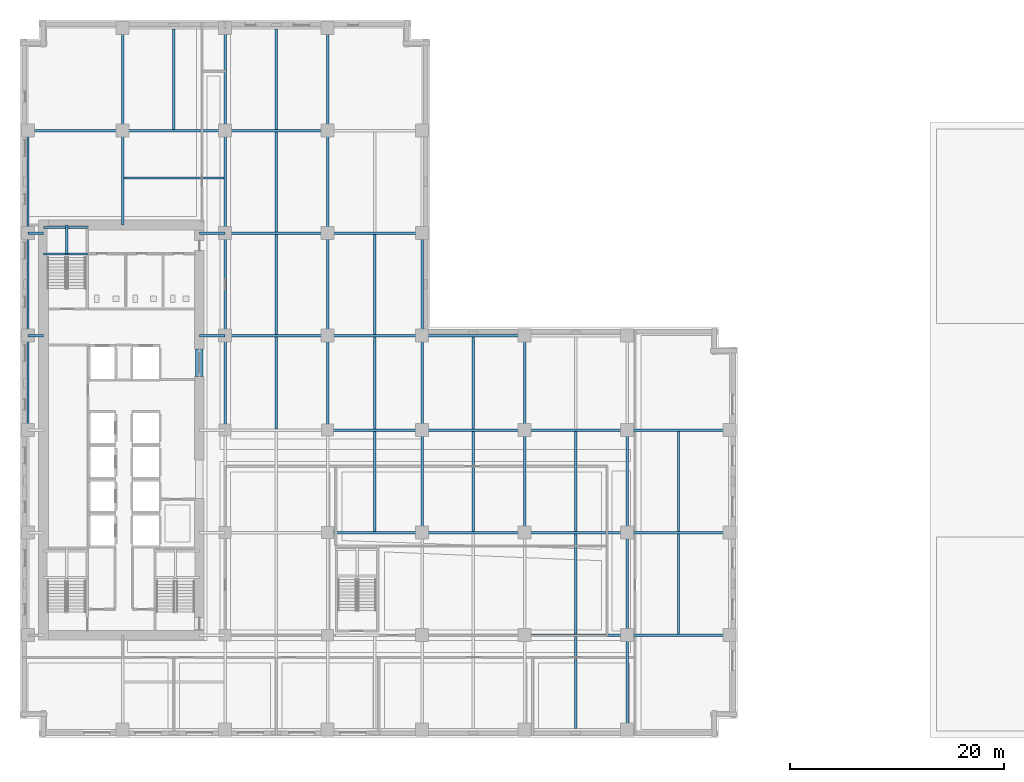
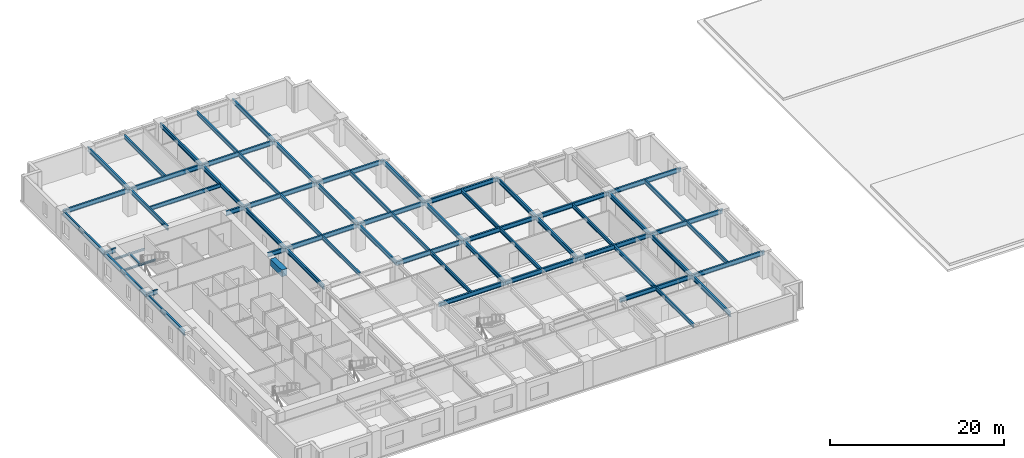
# One storey, part 2 of 14: 63 beams.
"""IFC4 building model written with IfcOpenShell, lengths in metres."""

from ifc_helpers import new_model, si_unit, direction, frame, origin, origin_2d, place, context, subcontext, project, spatial, rectangle, i_section, extrude, material, material_profile, profile_set, type_object, element, save


model = new_model("IFC4")

# Units and contexts
model_context = context("Model", 3, precision=1e-05, world=origin(), true_north=direction((0.0, 1.0)))
body_context = subcontext(model_context, "Body", "Model", "MODEL_VIEW")
ifc_project = project(units=[si_unit("LENGTHUNIT", "METRE"), si_unit("AREAUNIT", "SQUARE_METRE"), si_unit("VOLUMEUNIT", "CUBIC_METRE"), si_unit("PLANEANGLEUNIT", "RADIAN"), si_unit("MASSUNIT", "GRAM", prefix="KILO")], contexts=[model_context])

# Site, building, storey
site_placement = place(None, origin())
site = spatial("IfcSite", under=ifc_project, at=site_placement, CompositionType="ELEMENT")
building_placement = place(site_placement, origin())
building = spatial("IfcBuilding", under=site, at=building_placement, Name="Norrvale University Quadrangle", CompositionType="ELEMENT")
storey_placement = place(building_placement, frame((0.0, 0.0, 24.199951171875)))
storey = spatial("IfcBuildingStorey", under=building, at=storey_placement, Name="L05", CompositionType="ELEMENT", Elevation=24.199951171875)

# Beams
ifc_material_1 = material(Name="Concrete C80/95", Category="concrete")
ifc_material_profile_1 = material_profile(ifc_material_1, rectangle(XDim=0.699951171875, YDim=0.949951171875, at=origin_2d()), Name="Concrete C80/95")
ifc_profile_set_1 = profile_set([ifc_material_profile_1], Name="Concrete C80/95")
beam_type_1 = type_object("IfcBeamType", Name="Beam Core Link 700x950", PredefinedType="LINTEL", material=ifc_profile_set_1)
beam_1_placement = place(storey_placement, frame((16.800048828125, 33.800048828125, 3.06494140625), z_axis=(0.0, 1.0, 0.0), x_axis=(-1.0, 0.0, 0.0)))
element("IfcBeam", 1, at=beam_1_placement, inside=storey, type_object=beam_type_1, Name="Core Coupling Lintel Beam L05-2", PredefinedType="LINTEL", context=body_context, shape_type="SweptSolid", body=[
    extrude(rectangle(XDim=0.699951171875, YDim=0.949951171875, at=origin_2d()), origin(), (0.0, 0.0, 1.0), 2.599853515625),
])
ifc_material_2 = material(Name="Steel 350W", Category="steel")
ifc_material_profile_2 = material_profile(ifc_material_2, i_section(OverallWidth=0.208984375, OverallDepth=0.532958984375, WebThickness=0.01025390625, FlangeThickness=0.015625, FilletRadius=0.013916015625, at=origin_2d()), Name="Steel 350W")
ifc_profile_set_2 = profile_set([ifc_material_profile_2], Name="Steel 350W")
beam_type_2 = type_object("IfcBeamType", Name="Beam Floor W530x92", PredefinedType="JOIST", material=ifc_profile_set_2)
beam_2_placement = place(storey_placement, frame((14.39990234375, 56.965087890625, 3.2734375), z_axis=(0.0, 1.0, 0.0), x_axis=(-1.0, 0.0, 0.0)))
element("IfcBeam", 2, at=beam_2_placement, inside=storey, type_object=beam_type_2, Name="Beam Floor W530x92 BM-L05-J079", PredefinedType="JOIST", context=body_context, shape_type="SweptSolid", body=[
    extrude(i_section(OverallWidth=0.208984375, OverallDepth=0.532958984375, WebThickness=0.01025390625, FlangeThickness=0.015625, FilletRadius=0.013916015625, at=origin_2d()), origin(), (0.0, 0.0, 1.0), 9.369873046875),
])
beam_3_placement = place(storey_placement, frame((24.0, 28.9150390625, 3.2734375), z_axis=(0.0, 1.0, 0.0), x_axis=(-1.0, 0.0, 0.0)))
element("IfcBeam", 3, at=beam_3_placement, inside=storey, type_object=beam_type_2, Name="Beam Floor W530x92 BM-L05-J083", PredefinedType="JOIST", context=body_context, shape_type="SweptSolid", body=[
    extrude(i_section(OverallWidth=0.208984375, OverallDepth=0.532958984375, WebThickness=0.01025390625, FlangeThickness=0.015625, FilletRadius=0.013916015625, at=origin_2d()), origin(), (0.0, 0.0, 1.0), 8.619873046875),
])
for number, where, z_axis, x_axis, name in (
    (4, (24.0, 37.764892578125, 3.2734375), (0.0, 1.0, 0.0), (-1.0, 0.0, 0.0), "Beam Floor W530x92 BM-L05-J084"),
    (5, (24.0, 47.364990234375, 3.2734375), (0.0, 1.0, 0.0), (-1.0, 0.0, 0.0), "Beam Floor W530x92 BM-L05-J085"),
):
    element("IfcBeam", number, at=place(storey_placement, frame(where, z_axis=z_axis, x_axis=x_axis)), inside=storey, type_object=beam_type_2, Name=name, PredefinedType="JOIST", context=body_context, shape_type="SweptSolid", body=[
        extrude(i_section(OverallWidth=0.208984375, OverallDepth=0.532958984375, WebThickness=0.01025390625, FlangeThickness=0.015625, FilletRadius=0.013916015625, at=origin_2d()), origin(), (0.0, 0.0, 1.0), 9.3701171875),
    ])
beam_4_placement = place(storey_placement, frame((24.0, 56.965087890625, 3.2734375), z_axis=(0.0, 1.0, 0.0), x_axis=(-1.0, 0.0, 0.0)))
element("IfcBeam", 6, at=beam_4_placement, inside=storey, type_object=beam_type_2, Name="Beam Floor W530x92 BM-L05-J086", PredefinedType="JOIST", context=body_context, shape_type="SweptSolid", body=[
    extrude(i_section(OverallWidth=0.208984375, OverallDepth=0.532958984375, WebThickness=0.01025390625, FlangeThickness=0.015625, FilletRadius=0.013916015625, at=origin_2d()), origin(), (0.0, 0.0, 1.0), 9.369873046875),
])
beam_5_placement = place(storey_placement, frame((33.22509765625, 19.31494140625, 3.2734375), z_axis=(0.0, 1.0, 0.0), x_axis=(-1.0, 0.0, 0.0)))
element("IfcBeam", 7, at=beam_5_placement, inside=storey, type_object=beam_type_2, Name="Beam Floor W530x92 BM-L05-J088", PredefinedType="JOIST", context=body_context, shape_type="SweptSolid", body=[
    extrude(i_section(OverallWidth=0.208984375, OverallDepth=0.532958984375, WebThickness=0.01025390625, FlangeThickness=0.015625, FilletRadius=0.013916015625, at=origin_2d()), origin(), (0.0, 0.0, 1.0), 9.3701171875),
])
beam_6_placement = place(storey_placement, frame((33.22509765625, 28.9150390625, 3.2734375), z_axis=(0.0, 1.0, 0.0), x_axis=(-1.0, 0.0, 0.0)))
element("IfcBeam", 8, at=beam_6_placement, inside=storey, type_object=beam_type_2, Name="Beam Floor W530x92 BM-L05-J089", PredefinedType="JOIST", context=body_context, shape_type="SweptSolid", body=[
    extrude(i_section(OverallWidth=0.208984375, OverallDepth=0.532958984375, WebThickness=0.01025390625, FlangeThickness=0.015625, FilletRadius=0.013916015625, at=origin_2d()), origin(), (0.0, 0.0, 1.0), 8.619873046875),
])
for number, where, z_axis, x_axis, name in (
    (9, (33.22509765625, 37.764892578125, 3.2734375), (0.0, 1.0, 0.0), (-1.0, 0.0, 0.0), "Beam Floor W530x92 BM-L05-J090"),
    (10, (42.449951171875, 19.31494140625, 3.2734375), (0.0, 1.0, 0.0), (-1.0, 0.0, 0.0), "Beam Floor W530x92 BM-L05-J094"),
):
    element("IfcBeam", number, at=place(storey_placement, frame(where, z_axis=z_axis, x_axis=x_axis)), inside=storey, type_object=beam_type_2, Name=name, PredefinedType="JOIST", context=body_context, shape_type="SweptSolid", body=[
        extrude(i_section(OverallWidth=0.208984375, OverallDepth=0.532958984375, WebThickness=0.01025390625, FlangeThickness=0.015625, FilletRadius=0.013916015625, at=origin_2d()), origin(), (0.0, 0.0, 1.0), 9.3701171875),
    ])
beam_7_placement = place(storey_placement, frame((42.449951171875, 28.9150390625, 3.2734375), z_axis=(0.0, 1.0, 0.0), x_axis=(-1.0, 0.0, 0.0)))
element("IfcBeam", 11, at=beam_7_placement, inside=storey, type_object=beam_type_2, Name="Beam Floor W530x92 BM-L05-J095", PredefinedType="JOIST", context=body_context, shape_type="SweptSolid", body=[
    extrude(i_section(OverallWidth=0.208984375, OverallDepth=0.532958984375, WebThickness=0.01025390625, FlangeThickness=0.015625, FilletRadius=0.013916015625, at=origin_2d()), origin(), (0.0, 0.0, 1.0), 8.619873046875),
])
beam_8_placement = place(storey_placement, frame((52.050048828125, 0.864990234375, 3.2734375), z_axis=(0.0, 1.0, 0.0), x_axis=(-1.0, 0.0, 0.0)))
element("IfcBeam", 12, at=beam_8_placement, inside=storey, type_object=beam_type_2, Name="Beam Floor W530x92 BM-L05-J096", PredefinedType="JOIST", context=body_context, shape_type="SweptSolid", body=[
    extrude(i_section(OverallWidth=0.208984375, OverallDepth=0.532958984375, WebThickness=0.01025390625, FlangeThickness=0.015625, FilletRadius=0.013916015625, at=origin_2d()), origin(), (0.0, 0.0, 1.0), 8.6201171875),
])
beam_9_placement = place(storey_placement, frame((52.050048828125, 9.715087890625, 3.2734375), z_axis=(0.0, 1.0, 0.0), x_axis=(-1.0, 0.0, 0.0)))
element("IfcBeam", 13, at=beam_9_placement, inside=storey, type_object=beam_type_2, Name="Beam Floor W530x92 BM-L05-J097", PredefinedType="JOIST", context=body_context, shape_type="SweptSolid", body=[
    extrude(i_section(OverallWidth=0.208984375, OverallDepth=0.532958984375, WebThickness=0.01025390625, FlangeThickness=0.015625, FilletRadius=0.013916015625, at=origin_2d()), origin(), (0.0, 0.0, 1.0), 9.369873046875),
])
beam_10_placement = place(storey_placement, frame((52.050048828125, 19.31494140625, 3.2734375), z_axis=(0.0, 1.0, 0.0), x_axis=(-1.0, 0.0, 0.0)))
element("IfcBeam", 14, at=beam_10_placement, inside=storey, type_object=beam_type_2, Name="Beam Floor W530x92 BM-L05-J098", PredefinedType="JOIST", context=body_context, shape_type="SweptSolid", body=[
    extrude(i_section(OverallWidth=0.208984375, OverallDepth=0.532958984375, WebThickness=0.01025390625, FlangeThickness=0.015625, FilletRadius=0.013916015625, at=origin_2d()), origin(), (0.0, 0.0, 1.0), 9.3701171875),
])
beam_11_placement = place(storey_placement, frame((61.64990234375, 9.715087890625, 3.2734375), z_axis=(0.0, 1.0, 0.0), x_axis=(-1.0, 0.0, 0.0)))
element("IfcBeam", 15, at=beam_11_placement, inside=storey, type_object=beam_type_2, Name="Beam Floor W530x92 BM-L05-J100", PredefinedType="JOIST", context=body_context, shape_type="SweptSolid", body=[
    extrude(i_section(OverallWidth=0.208984375, OverallDepth=0.532958984375, WebThickness=0.01025390625, FlangeThickness=0.015625, FilletRadius=0.013916015625, at=origin_2d()), origin(), (0.0, 0.0, 1.0), 9.369873046875),
])
beam_12_placement = place(storey_placement, frame((61.64990234375, 19.31494140625, 3.2734375), z_axis=(0.0, 1.0, 0.0), x_axis=(-1.0, 0.0, 0.0)))
element("IfcBeam", 16, at=beam_12_placement, inside=storey, type_object=beam_type_2, Name="Beam Floor W530x92 BM-L05-J101", PredefinedType="JOIST", context=body_context, shape_type="SweptSolid", body=[
    extrude(i_section(OverallWidth=0.208984375, OverallDepth=0.532958984375, WebThickness=0.01025390625, FlangeThickness=0.015625, FilletRadius=0.013916015625, at=origin_2d()), origin(), (0.0, 0.0, 1.0), 9.3701171875),
])
beam_13_placement = place(storey_placement, frame((9.715087890625, 52.39990234375, 3.2734375), z_axis=(1.0, 0.0, 0.0), x_axis=(0.0, 1.0, 0.0)))
element("IfcBeam", 17, at=beam_13_placement, inside=storey, type_object=beam_type_2, Name="Beam Floor W530x92 BM-L05-JCN105", PredefinedType="JOIST", context=body_context, shape_type="SweptSolid", body=[
    extrude(i_section(OverallWidth=0.208984375, OverallDepth=0.532958984375, WebThickness=0.01025390625, FlangeThickness=0.015625, FilletRadius=0.013916015625, at=origin_2d()), origin(), (0.0, 0.0, 1.0), 9.369873046875),
])
ifc_material_profile_3 = material_profile(ifc_material_2, i_section(OverallWidth=0.22998046875, OverallDepth=0.616943359375, WebThickness=0.01318359375, FlangeThickness=0.022216796875, FilletRadius=0.01611328125, at=origin_2d()), Name="Steel 350W")
ifc_profile_set_3 = profile_set([ifc_material_profile_3], Name="Steel 350W")
beam_type_3 = type_object("IfcBeamType", Name="Beam Floor W610x140", PredefinedType="BEAM", material=ifc_profile_set_3)
beam_14_placement = place(storey_placement, frame((47.25, 9.60009765625, 3.2314453125), z_axis=(1.0, 0.0, 0.0), x_axis=(0.0, 1.0, 0.0)))
element("IfcBeam", 18, at=beam_14_placement, inside=storey, type_object=beam_type_3, Name="Beam Floor W610x140 BM-L05-GX009", PredefinedType="BEAM", context=body_context, shape_type="SweptSolid", body=[
    extrude(i_section(OverallWidth=0.22998046875, OverallDepth=0.616943359375, WebThickness=0.01318359375, FlangeThickness=0.022216796875, FilletRadius=0.01611328125, at=origin_2d()), origin(), (0.0, 0.0, 1.0), 9.60009765625),
])
beam_15_placement = place(storey_placement, frame((56.85009765625, 9.60009765625, 3.2314453125), z_axis=(1.0, 0.0, 0.0), x_axis=(0.0, 1.0, 0.0)))
element("IfcBeam", 19, at=beam_15_placement, inside=storey, type_object=beam_type_3, Name="Beam Floor W610x140 BM-L05-GX010", PredefinedType="BEAM", context=body_context, shape_type="SweptSolid", body=[
    extrude(i_section(OverallWidth=0.22998046875, OverallDepth=0.616943359375, WebThickness=0.01318359375, FlangeThickness=0.022216796875, FilletRadius=0.01611328125, at=origin_2d()), origin(), (0.0, 0.0, 1.0), 9.599853515625),
])
beam_16_placement = place(storey_placement, frame((28.800048828125, 19.199951171875, 3.2314453125), z_axis=(1.0, 0.0, 0.0), x_axis=(0.0, 1.0, 0.0)))
element("IfcBeam", 20, at=beam_16_placement, inside=storey, type_object=beam_type_3, Name="Beam Floor W610x140 BM-L05-GX012", PredefinedType="BEAM", context=body_context, shape_type="SweptSolid", body=[
    extrude(i_section(OverallWidth=0.22998046875, OverallDepth=0.616943359375, WebThickness=0.01318359375, FlangeThickness=0.022216796875, FilletRadius=0.01611328125, at=origin_2d()), origin(), (0.0, 0.0, 1.0), 8.849853515625),
])
for number, where, z_axis, x_axis, name in (
    (21, (37.64990234375, 19.199951171875, 3.2314453125), (1.0, 0.0, 0.0), (0.0, 1.0, 0.0), "Beam Floor W610x140 BM-L05-GX013"),
    (22, (47.25, 19.199951171875, 3.2314453125), (1.0, 0.0, 0.0), (0.0, 1.0, 0.0), "Beam Floor W610x140 BM-L05-GX014"),
):
    element("IfcBeam", number, at=place(storey_placement, frame(where, z_axis=z_axis, x_axis=x_axis)), inside=storey, type_object=beam_type_3, Name=name, PredefinedType="BEAM", context=body_context, shape_type="SweptSolid", body=[
        extrude(i_section(OverallWidth=0.22998046875, OverallDepth=0.616943359375, WebThickness=0.01318359375, FlangeThickness=0.022216796875, FilletRadius=0.01611328125, at=origin_2d()), origin(), (0.0, 0.0, 1.0), 9.60009765625),
    ])
beam_17_placement = place(storey_placement, frame((56.85009765625, 19.199951171875, 3.2314453125), z_axis=(1.0, 0.0, 0.0), x_axis=(0.0, 1.0, 0.0)))
element("IfcBeam", 23, at=beam_17_placement, inside=storey, type_object=beam_type_3, Name="Beam Floor W610x140 BM-L05-GX015", PredefinedType="BEAM", context=body_context, shape_type="SweptSolid", body=[
    extrude(i_section(OverallWidth=0.22998046875, OverallDepth=0.616943359375, WebThickness=0.01318359375, FlangeThickness=0.022216796875, FilletRadius=0.01611328125, at=origin_2d()), origin(), (0.0, 0.0, 1.0), 9.599853515625),
])
beam_18_placement = place(storey_placement, frame((28.800048828125, 28.800048828125, 3.2314453125), z_axis=(1.0, 0.0, 0.0), x_axis=(0.0, 1.0, 0.0)))
element("IfcBeam", 24, at=beam_18_placement, inside=storey, type_object=beam_type_3, Name="Beam Floor W610x140 BM-L05-GX017", PredefinedType="BEAM", context=body_context, shape_type="SweptSolid", body=[
    extrude(i_section(OverallWidth=0.22998046875, OverallDepth=0.616943359375, WebThickness=0.01318359375, FlangeThickness=0.022216796875, FilletRadius=0.01611328125, at=origin_2d()), origin(), (0.0, 0.0, 1.0), 8.849853515625),
])
for number, where, z_axis, x_axis, name in (
    (25, (37.64990234375, 28.800048828125, 3.2314453125), (1.0, 0.0, 0.0), (0.0, 1.0, 0.0), "Beam Floor W610x140 BM-L05-GX018"),
    (26, (47.25, 28.800048828125, 3.2314453125), (1.0, 0.0, 0.0), (0.0, 1.0, 0.0), "Beam Floor W610x140 BM-L05-GX019"),
):
    element("IfcBeam", number, at=place(storey_placement, frame(where, z_axis=z_axis, x_axis=x_axis)), inside=storey, type_object=beam_type_3, Name=name, PredefinedType="BEAM", context=body_context, shape_type="SweptSolid", body=[
        extrude(i_section(OverallWidth=0.22998046875, OverallDepth=0.616943359375, WebThickness=0.01318359375, FlangeThickness=0.022216796875, FilletRadius=0.01611328125, at=origin_2d()), origin(), (0.0, 0.0, 1.0), 9.60009765625),
    ])
beam_19_placement = place(storey_placement, frame((56.85009765625, 28.800048828125, 3.2314453125), z_axis=(1.0, 0.0, 0.0), x_axis=(0.0, 1.0, 0.0)))
element("IfcBeam", 27, at=beam_19_placement, inside=storey, type_object=beam_type_3, Name="Beam Floor W610x140 BM-L05-GX020", PredefinedType="BEAM", context=body_context, shape_type="SweptSolid", body=[
    extrude(i_section(OverallWidth=0.22998046875, OverallDepth=0.616943359375, WebThickness=0.01318359375, FlangeThickness=0.022216796875, FilletRadius=0.01611328125, at=origin_2d()), origin(), (0.0, 0.0, 1.0), 9.599853515625),
])
beam_20_placement = place(storey_placement, frame((19.199951171875, 37.64990234375, 3.2314453125), z_axis=(1.0, 0.0, 0.0), x_axis=(0.0, 1.0, 0.0)))
element("IfcBeam", 28, at=beam_20_placement, inside=storey, type_object=beam_type_3, Name="Beam Floor W610x140 BM-L05-GX021", PredefinedType="BEAM", context=body_context, shape_type="SweptSolid", body=[
    extrude(i_section(OverallWidth=0.22998046875, OverallDepth=0.616943359375, WebThickness=0.01318359375, FlangeThickness=0.022216796875, FilletRadius=0.01611328125, at=origin_2d()), origin(), (0.0, 0.0, 1.0), 9.60009765625),
])
beam_21_placement = place(storey_placement, frame((28.800048828125, 37.64990234375, 3.2314453125), z_axis=(1.0, 0.0, 0.0), x_axis=(0.0, 1.0, 0.0)))
element("IfcBeam", 29, at=beam_21_placement, inside=storey, type_object=beam_type_3, Name="Beam Floor W610x140 BM-L05-GX022", PredefinedType="BEAM", context=body_context, shape_type="SweptSolid", body=[
    extrude(i_section(OverallWidth=0.22998046875, OverallDepth=0.616943359375, WebThickness=0.01318359375, FlangeThickness=0.022216796875, FilletRadius=0.01611328125, at=origin_2d()), origin(), (0.0, 0.0, 1.0), 8.849853515625),
])
for number, where, z_axis, x_axis, name in (
    (30, (37.64990234375, 37.64990234375, 3.2314453125), (1.0, 0.0, 0.0), (0.0, 1.0, 0.0), "Beam Floor W610x140 BM-L05-GX023"),
    (31, (19.199951171875, 47.25, 3.2314453125), (1.0, 0.0, 0.0), (0.0, 1.0, 0.0), "Beam Floor W610x140 BM-L05-GX025"),
):
    element("IfcBeam", number, at=place(storey_placement, frame(where, z_axis=z_axis, x_axis=x_axis)), inside=storey, type_object=beam_type_3, Name=name, PredefinedType="BEAM", context=body_context, shape_type="SweptSolid", body=[
        extrude(i_section(OverallWidth=0.22998046875, OverallDepth=0.616943359375, WebThickness=0.01318359375, FlangeThickness=0.022216796875, FilletRadius=0.01611328125, at=origin_2d()), origin(), (0.0, 0.0, 1.0), 9.60009765625),
    ])
beam_22_placement = place(storey_placement, frame((28.800048828125, 47.25, 3.2314453125), z_axis=(1.0, 0.0, 0.0), x_axis=(0.0, 1.0, 0.0)))
element("IfcBeam", 32, at=beam_22_placement, inside=storey, type_object=beam_type_3, Name="Beam Floor W610x140 BM-L05-GX026", PredefinedType="BEAM", context=body_context, shape_type="SweptSolid", body=[
    extrude(i_section(OverallWidth=0.22998046875, OverallDepth=0.616943359375, WebThickness=0.01318359375, FlangeThickness=0.022216796875, FilletRadius=0.01611328125, at=origin_2d()), origin(), (0.0, 0.0, 1.0), 8.849853515625),
])
beam_23_placement = place(storey_placement, frame((0.75, 56.85009765625, 3.2314453125), z_axis=(1.0, 0.0, 0.0), x_axis=(0.0, 1.0, 0.0)))
element("IfcBeam", 33, at=beam_23_placement, inside=storey, type_object=beam_type_3, Name="Beam Floor W610x140 BM-L05-GX027", PredefinedType="BEAM", context=body_context, shape_type="SweptSolid", body=[
    extrude(i_section(OverallWidth=0.22998046875, OverallDepth=0.616943359375, WebThickness=0.01318359375, FlangeThickness=0.022216796875, FilletRadius=0.01611328125, at=origin_2d()), origin(), (0.0, 0.0, 1.0), 8.85009765625),
])
beam_24_placement = place(storey_placement, frame((9.60009765625, 56.85009765625, 3.2314453125), z_axis=(1.0, 0.0, 0.0), x_axis=(0.0, 1.0, 0.0)))
element("IfcBeam", 34, at=beam_24_placement, inside=storey, type_object=beam_type_3, Name="Beam Floor W610x140 BM-L05-GX028", PredefinedType="BEAM", context=body_context, shape_type="SweptSolid", body=[
    extrude(i_section(OverallWidth=0.22998046875, OverallDepth=0.616943359375, WebThickness=0.01318359375, FlangeThickness=0.022216796875, FilletRadius=0.01611328125, at=origin_2d()), origin(), (0.0, 0.0, 1.0), 9.599853515625),
])
beam_25_placement = place(storey_placement, frame((19.199951171875, 56.85009765625, 3.2314453125), z_axis=(1.0, 0.0, 0.0), x_axis=(0.0, 1.0, 0.0)))
element("IfcBeam", 35, at=beam_25_placement, inside=storey, type_object=beam_type_3, Name="Beam Floor W610x140 BM-L05-GX029", PredefinedType="BEAM", context=body_context, shape_type="SweptSolid", body=[
    extrude(i_section(OverallWidth=0.22998046875, OverallDepth=0.616943359375, WebThickness=0.01318359375, FlangeThickness=0.022216796875, FilletRadius=0.01611328125, at=origin_2d()), origin(), (0.0, 0.0, 1.0), 9.60009765625),
])
beam_26_placement = place(storey_placement, frame((0.75, 28.800048828125, 3.2314453125), z_axis=(0.0, 1.0, 0.0), x_axis=(-1.0, 0.0, 0.0)))
element("IfcBeam", 36, at=beam_26_placement, inside=storey, type_object=beam_type_3, Name="Beam Floor W610x140 BM-L05-GY035", PredefinedType="BEAM", context=body_context, shape_type="SweptSolid", body=[
    extrude(i_section(OverallWidth=0.22998046875, OverallDepth=0.616943359375, WebThickness=0.01318359375, FlangeThickness=0.022216796875, FilletRadius=0.01611328125, at=origin_2d()), origin(), (0.0, 0.0, 1.0), 8.849853515625),
])
for number, where, z_axis, x_axis, name in (
    (37, (0.75, 37.64990234375, 3.2314453125), (0.0, 1.0, 0.0), (-1.0, 0.0, 0.0), "Beam Floor W610x140 BM-L05-GY036"),
    (38, (0.75, 47.25, 3.2314453125), (0.0, 1.0, 0.0), (-1.0, 0.0, 0.0), "Beam Floor W610x140 BM-L05-GY037"),
):
    element("IfcBeam", number, at=place(storey_placement, frame(where, z_axis=z_axis, x_axis=x_axis)), inside=storey, type_object=beam_type_3, Name=name, PredefinedType="BEAM", context=body_context, shape_type="SweptSolid", body=[
        extrude(i_section(OverallWidth=0.22998046875, OverallDepth=0.616943359375, WebThickness=0.01318359375, FlangeThickness=0.022216796875, FilletRadius=0.01611328125, at=origin_2d()), origin(), (0.0, 0.0, 1.0), 9.60009765625),
    ])
beam_27_placement = place(storey_placement, frame((9.60009765625, 56.85009765625, 3.2314453125), z_axis=(0.0, 1.0, 0.0), x_axis=(-1.0, 0.0, 0.0)))
element("IfcBeam", 39, at=beam_27_placement, inside=storey, type_object=beam_type_3, Name="Beam Floor W610x140 BM-L05-GY038", PredefinedType="BEAM", context=body_context, shape_type="SweptSolid", body=[
    extrude(i_section(OverallWidth=0.22998046875, OverallDepth=0.616943359375, WebThickness=0.01318359375, FlangeThickness=0.022216796875, FilletRadius=0.01611328125, at=origin_2d()), origin(), (0.0, 0.0, 1.0), 9.599853515625),
])
beam_28_placement = place(storey_placement, frame((19.199951171875, 28.800048828125, 3.2314453125), z_axis=(0.0, 1.0, 0.0), x_axis=(-1.0, 0.0, 0.0)))
element("IfcBeam", 40, at=beam_28_placement, inside=storey, type_object=beam_type_3, Name="Beam Floor W610x140 BM-L05-GY042", PredefinedType="BEAM", context=body_context, shape_type="SweptSolid", body=[
    extrude(i_section(OverallWidth=0.22998046875, OverallDepth=0.616943359375, WebThickness=0.01318359375, FlangeThickness=0.022216796875, FilletRadius=0.01611328125, at=origin_2d()), origin(), (0.0, 0.0, 1.0), 8.849853515625),
])
for number, where, z_axis, x_axis, name in (
    (41, (19.199951171875, 37.64990234375, 3.2314453125), (0.0, 1.0, 0.0), (-1.0, 0.0, 0.0), "Beam Floor W610x140 BM-L05-GY043"),
    (42, (19.199951171875, 47.25, 3.2314453125), (0.0, 1.0, 0.0), (-1.0, 0.0, 0.0), "Beam Floor W610x140 BM-L05-GY044"),
):
    element("IfcBeam", number, at=place(storey_placement, frame(where, z_axis=z_axis, x_axis=x_axis)), inside=storey, type_object=beam_type_3, Name=name, PredefinedType="BEAM", context=body_context, shape_type="SweptSolid", body=[
        extrude(i_section(OverallWidth=0.22998046875, OverallDepth=0.616943359375, WebThickness=0.01318359375, FlangeThickness=0.022216796875, FilletRadius=0.01611328125, at=origin_2d()), origin(), (0.0, 0.0, 1.0), 9.60009765625),
    ])
beam_29_placement = place(storey_placement, frame((19.199951171875, 56.85009765625, 3.2314453125), z_axis=(0.0, 1.0, 0.0), x_axis=(-1.0, 0.0, 0.0)))
element("IfcBeam", 43, at=beam_29_placement, inside=storey, type_object=beam_type_3, Name="Beam Floor W610x140 BM-L05-GY045", PredefinedType="BEAM", context=body_context, shape_type="SweptSolid", body=[
    extrude(i_section(OverallWidth=0.22998046875, OverallDepth=0.616943359375, WebThickness=0.01318359375, FlangeThickness=0.022216796875, FilletRadius=0.01611328125, at=origin_2d()), origin(), (0.0, 0.0, 1.0), 9.599853515625),
])
beam_30_placement = place(storey_placement, frame((28.800048828125, 28.800048828125, 3.2314453125), z_axis=(0.0, 1.0, 0.0), x_axis=(-1.0, 0.0, 0.0)))
element("IfcBeam", 44, at=beam_30_placement, inside=storey, type_object=beam_type_3, Name="Beam Floor W610x140 BM-L05-GY049", PredefinedType="BEAM", context=body_context, shape_type="SweptSolid", body=[
    extrude(i_section(OverallWidth=0.22998046875, OverallDepth=0.616943359375, WebThickness=0.01318359375, FlangeThickness=0.022216796875, FilletRadius=0.01611328125, at=origin_2d()), origin(), (0.0, 0.0, 1.0), 8.849853515625),
])
for number, where, z_axis, x_axis, name in (
    (45, (28.800048828125, 37.64990234375, 3.2314453125), (0.0, 1.0, 0.0), (-1.0, 0.0, 0.0), "Beam Floor W610x140 BM-L05-GY050"),
    (46, (28.800048828125, 47.25, 3.2314453125), (0.0, 1.0, 0.0), (-1.0, 0.0, 0.0), "Beam Floor W610x140 BM-L05-GY051"),
):
    element("IfcBeam", number, at=place(storey_placement, frame(where, z_axis=z_axis, x_axis=x_axis)), inside=storey, type_object=beam_type_3, Name=name, PredefinedType="BEAM", context=body_context, shape_type="SweptSolid", body=[
        extrude(i_section(OverallWidth=0.22998046875, OverallDepth=0.616943359375, WebThickness=0.01318359375, FlangeThickness=0.022216796875, FilletRadius=0.01611328125, at=origin_2d()), origin(), (0.0, 0.0, 1.0), 9.60009765625),
    ])
beam_31_placement = place(storey_placement, frame((28.800048828125, 56.85009765625, 3.2314453125), z_axis=(0.0, 1.0, 0.0), x_axis=(-1.0, 0.0, 0.0)))
element("IfcBeam", 47, at=beam_31_placement, inside=storey, type_object=beam_type_3, Name="Beam Floor W610x140 BM-L05-GY052", PredefinedType="BEAM", context=body_context, shape_type="SweptSolid", body=[
    extrude(i_section(OverallWidth=0.22998046875, OverallDepth=0.616943359375, WebThickness=0.01318359375, FlangeThickness=0.022216796875, FilletRadius=0.01611328125, at=origin_2d()), origin(), (0.0, 0.0, 1.0), 9.599853515625),
])
beam_32_placement = place(storey_placement, frame((37.64990234375, 19.199951171875, 3.2314453125), z_axis=(0.0, 1.0, 0.0), x_axis=(-1.0, 0.0, 0.0)))
element("IfcBeam", 48, at=beam_32_placement, inside=storey, type_object=beam_type_3, Name="Beam Floor W610x140 BM-L05-GY055", PredefinedType="BEAM", context=body_context, shape_type="SweptSolid", body=[
    extrude(i_section(OverallWidth=0.22998046875, OverallDepth=0.616943359375, WebThickness=0.01318359375, FlangeThickness=0.022216796875, FilletRadius=0.01611328125, at=origin_2d()), origin(), (0.0, 0.0, 1.0), 9.60009765625),
])
beam_33_placement = place(storey_placement, frame((37.64990234375, 28.800048828125, 3.2314453125), z_axis=(0.0, 1.0, 0.0), x_axis=(-1.0, 0.0, 0.0)))
element("IfcBeam", 49, at=beam_33_placement, inside=storey, type_object=beam_type_3, Name="Beam Floor W610x140 BM-L05-GY056", PredefinedType="BEAM", context=body_context, shape_type="SweptSolid", body=[
    extrude(i_section(OverallWidth=0.22998046875, OverallDepth=0.616943359375, WebThickness=0.01318359375, FlangeThickness=0.022216796875, FilletRadius=0.01611328125, at=origin_2d()), origin(), (0.0, 0.0, 1.0), 8.849853515625),
])
for number, where, z_axis, x_axis, name in (
    (50, (37.64990234375, 37.64990234375, 3.2314453125), (0.0, 1.0, 0.0), (-1.0, 0.0, 0.0), "Beam Floor W610x140 BM-L05-GY057"),
    (51, (47.25, 19.199951171875, 3.2314453125), (0.0, 1.0, 0.0), (-1.0, 0.0, 0.0), "Beam Floor W610x140 BM-L05-GY061"),
):
    element("IfcBeam", number, at=place(storey_placement, frame(where, z_axis=z_axis, x_axis=x_axis)), inside=storey, type_object=beam_type_3, Name=name, PredefinedType="BEAM", context=body_context, shape_type="SweptSolid", body=[
        extrude(i_section(OverallWidth=0.22998046875, OverallDepth=0.616943359375, WebThickness=0.01318359375, FlangeThickness=0.022216796875, FilletRadius=0.01611328125, at=origin_2d()), origin(), (0.0, 0.0, 1.0), 9.60009765625),
    ])
beam_34_placement = place(storey_placement, frame((47.25, 28.800048828125, 3.2314453125), z_axis=(0.0, 1.0, 0.0), x_axis=(-1.0, 0.0, 0.0)))
element("IfcBeam", 52, at=beam_34_placement, inside=storey, type_object=beam_type_3, Name="Beam Floor W610x140 BM-L05-GY062", PredefinedType="BEAM", context=body_context, shape_type="SweptSolid", body=[
    extrude(i_section(OverallWidth=0.22998046875, OverallDepth=0.616943359375, WebThickness=0.01318359375, FlangeThickness=0.022216796875, FilletRadius=0.01611328125, at=origin_2d()), origin(), (0.0, 0.0, 1.0), 8.849853515625),
])
beam_35_placement = place(storey_placement, frame((56.85009765625, 0.75, 3.2314453125), z_axis=(0.0, 1.0, 0.0), x_axis=(-1.0, 0.0, 0.0)))
element("IfcBeam", 53, at=beam_35_placement, inside=storey, type_object=beam_type_3, Name="Beam Floor W610x140 BM-L05-GY063", PredefinedType="BEAM", context=body_context, shape_type="SweptSolid", body=[
    extrude(i_section(OverallWidth=0.22998046875, OverallDepth=0.616943359375, WebThickness=0.01318359375, FlangeThickness=0.022216796875, FilletRadius=0.01611328125, at=origin_2d()), origin(), (0.0, 0.0, 1.0), 8.85009765625),
])
beam_36_placement = place(storey_placement, frame((56.85009765625, 9.60009765625, 3.2314453125), z_axis=(0.0, 1.0, 0.0), x_axis=(-1.0, 0.0, 0.0)))
element("IfcBeam", 54, at=beam_36_placement, inside=storey, type_object=beam_type_3, Name="Beam Floor W610x140 BM-L05-GY064", PredefinedType="BEAM", context=body_context, shape_type="SweptSolid", body=[
    extrude(i_section(OverallWidth=0.22998046875, OverallDepth=0.616943359375, WebThickness=0.01318359375, FlangeThickness=0.022216796875, FilletRadius=0.01611328125, at=origin_2d()), origin(), (0.0, 0.0, 1.0), 9.599853515625),
])
beam_37_placement = place(storey_placement, frame((56.85009765625, 19.199951171875, 3.2314453125), z_axis=(0.0, 1.0, 0.0), x_axis=(-1.0, 0.0, 0.0)))
element("IfcBeam", 55, at=beam_37_placement, inside=storey, type_object=beam_type_3, Name="Beam Floor W610x140 BM-L05-GY065", PredefinedType="BEAM", context=body_context, shape_type="SweptSolid", body=[
    extrude(i_section(OverallWidth=0.22998046875, OverallDepth=0.616943359375, WebThickness=0.01318359375, FlangeThickness=0.022216796875, FilletRadius=0.01611328125, at=origin_2d()), origin(), (0.0, 0.0, 1.0), 9.60009765625),
])
beam_38_placement = place(storey_placement, frame((0.75, 37.64990234375, 3.2314453125), z_axis=(1.0, 0.0, 0.0), x_axis=(0.0, 1.0, 0.0)))
element("IfcBeam", 56, at=beam_38_placement, inside=storey, type_object=beam_type_3, Name="Beam Floor W610x140 BM-L05-GCW075", PredefinedType="BEAM", context=body_context, shape_type="SweptSolid", body=[
    extrude(i_section(OverallWidth=0.22998046875, OverallDepth=0.616943359375, WebThickness=0.01318359375, FlangeThickness=0.022216796875, FilletRadius=0.01611328125, at=origin_2d()), origin(), (0.0, 0.0, 1.0), 1.449951171875),
])
beam_39_placement = place(storey_placement, frame((16.800048828125, 37.64990234375, 3.2314453125), z_axis=(1.0, 0.0, 0.0), x_axis=(0.0, 1.0, 0.0)))
element("IfcBeam", 57, at=beam_39_placement, inside=storey, type_object=beam_type_3, Name="Beam Floor W610x140 BM-L05-GCE076", PredefinedType="BEAM", context=body_context, shape_type="SweptSolid", body=[
    extrude(i_section(OverallWidth=0.22998046875, OverallDepth=0.616943359375, WebThickness=0.01318359375, FlangeThickness=0.022216796875, FilletRadius=0.01611328125, at=origin_2d()), origin(), (0.0, 0.0, 1.0), 2.39990234375),
])
beam_40_placement = place(storey_placement, frame((0.75, 47.25, 3.2314453125), z_axis=(1.0, 0.0, 0.0), x_axis=(0.0, 1.0, 0.0)))
element("IfcBeam", 58, at=beam_40_placement, inside=storey, type_object=beam_type_3, Name="Beam Floor W610x140 BM-L05-GCW077", PredefinedType="BEAM", context=body_context, shape_type="SweptSolid", body=[
    extrude(i_section(OverallWidth=0.22998046875, OverallDepth=0.616943359375, WebThickness=0.01318359375, FlangeThickness=0.022216796875, FilletRadius=0.01611328125, at=origin_2d()), origin(), (0.0, 0.0, 1.0), 1.449951171875),
])
beam_41_placement = place(storey_placement, frame((16.800048828125, 47.25, 3.2314453125), z_axis=(1.0, 0.0, 0.0), x_axis=(0.0, 1.0, 0.0)))
element("IfcBeam", 59, at=beam_41_placement, inside=storey, type_object=beam_type_3, Name="Beam Floor W610x140 BM-L05-GCE078", PredefinedType="BEAM", context=body_context, shape_type="SweptSolid", body=[
    extrude(i_section(OverallWidth=0.22998046875, OverallDepth=0.616943359375, WebThickness=0.01318359375, FlangeThickness=0.022216796875, FilletRadius=0.01611328125, at=origin_2d()), origin(), (0.0, 0.0, 1.0), 2.39990234375),
])
beam_42_placement = place(storey_placement, frame((9.60009765625, 48.0, 3.2314453125), z_axis=(0.0, 1.0, 0.0), x_axis=(-1.0, 0.0, 0.0)))
element("IfcBeam", 60, at=beam_42_placement, inside=storey, type_object=beam_type_3, Name="Beam Floor W610x140 BM-L05-GCN104", PredefinedType="BEAM", context=body_context, shape_type="SweptSolid", body=[
    extrude(i_section(OverallWidth=0.22998046875, OverallDepth=0.616943359375, WebThickness=0.01318359375, FlangeThickness=0.022216796875, FilletRadius=0.01611328125, at=origin_2d()), origin(), (0.0, 0.0, 1.0), 8.85009765625),
])
ifc_material_profile_4 = material_profile(ifc_material_2, i_section(OverallWidth=0.201904296875, OverallDepth=0.2470703125, WebThickness=0.00732421875, FlangeThickness=0.010986328125, FilletRadius=0.011962890625, at=origin_2d()), Name="Steel 350W")
ifc_profile_set_4 = profile_set([ifc_material_profile_4], Name="Steel 350W")
beam_type_4 = type_object("IfcBeamType", Name="Beam Stair W250x49", PredefinedType="BEAM", material=ifc_profile_set_4)
for number, where, z_axis, x_axis, name in (
    (61, (2.199951171875, 45.2900390625, 1.57666015625), (1.0, 0.0, 0.0), (0.0, 1.0, 0.0), "Stair Mid-Landing Front Beam ST-02 L05"),
    (62, (2.199951171875, 47.77001953125, 1.57666015625), (1.0, 0.0, 0.0), (0.0, 1.0, 0.0), "Stair Mid-Landing Rear Beam ST-02 L05"),
):
    element("IfcBeam", number, at=place(storey_placement, frame(where, z_axis=z_axis, x_axis=x_axis)), inside=storey, type_object=beam_type_4, Name=name, PredefinedType="BEAM", context=body_context, shape_type="SweptSolid", body=[
        extrude(i_section(OverallWidth=0.201904296875, OverallDepth=0.2470703125, WebThickness=0.00732421875, FlangeThickness=0.010986328125, FilletRadius=0.011962890625, at=origin_2d()), origin(), (0.0, 0.0, 1.0), 4.14013671875),
    ])
ifc_material_profile_5 = material_profile(ifc_material_2, i_section(OverallWidth=0.202880859375, OverallDepth=0.202880859375, WebThickness=0.007080078125, FlangeThickness=0.010986328125, FilletRadius=0.010009765625, at=origin_2d()), Name="Steel 350W")
ifc_profile_set_5 = profile_set([ifc_material_profile_5], Name="Steel 350W")
beam_type_5 = type_object("IfcBeamType", Name="Beam Trim W200x46", PredefinedType="BEAM", material=ifc_profile_set_5)
beam_43_placement = place(storey_placement, frame((4.375, 45.2900390625, 1.5986328125), z_axis=(0.0, 1.0, 0.0), x_axis=(-1.0, 0.0, 0.0)))
element("IfcBeam", 63, at=beam_43_placement, inside=storey, type_object=beam_type_5, Name="Stair Mid-Landing Cross Beam ST-02 L05", PredefinedType="BEAM", context=body_context, shape_type="SweptSolid", body=[
    extrude(i_section(OverallWidth=0.202880859375, OverallDepth=0.202880859375, WebThickness=0.007080078125, FlangeThickness=0.010986328125, FilletRadius=0.010009765625, at=origin_2d()), origin(), (0.0, 0.0, 1.0), 2.7099609375),
])

save(model, "model.ifc")
